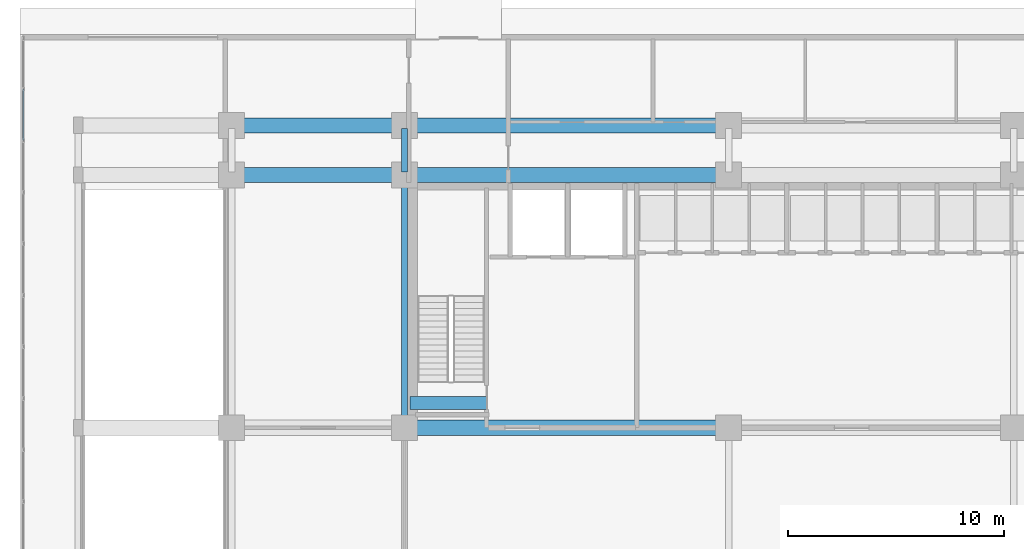
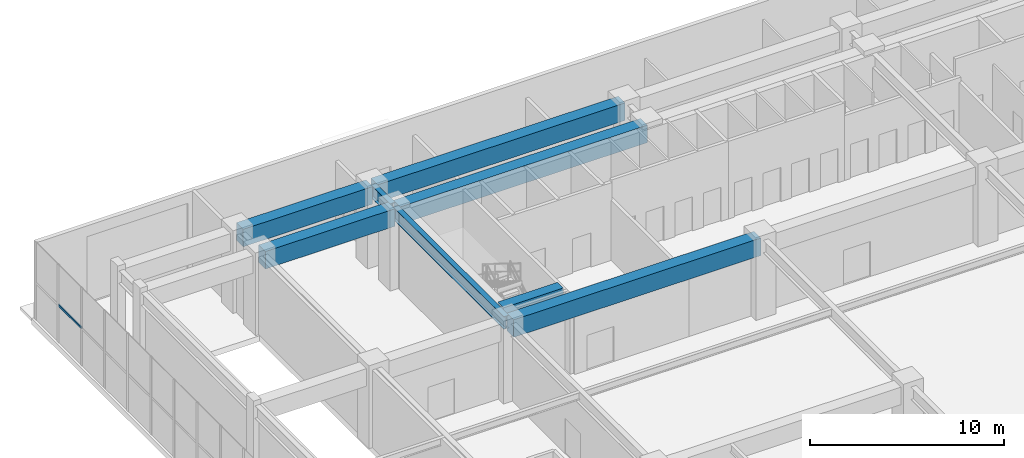
# One storey, part 17 of 40: 8 beams, 1 member, 1 element without a shape of its own.
"""IFC4 building model written with IfcOpenShell, lengths in metres."""

from ifc_helpers import new_model, si_unit, direction, frame, origin, origin_2d, place, context, subcontext, project, spatial, rectangle, hollow_rectangle, i_section, extrude, source, transform, mapped, material, material_profile, profile_set, type_object, element, aggregate, save


model = new_model("IFC4")

# Units and contexts
model_context = context("Model", 3, precision=1e-05, world=origin(), true_north=direction((0.0, 1.0)))
body_context = subcontext(model_context, "Body", "Model", "MODEL_VIEW")
ifc_project = project(units=[si_unit("LENGTHUNIT", "METRE"), si_unit("AREAUNIT", "SQUARE_METRE"), si_unit("VOLUMEUNIT", "CUBIC_METRE"), si_unit("PLANEANGLEUNIT", "RADIAN"), si_unit("MASSUNIT", "GRAM", prefix="KILO")], contexts=[model_context])

# Site, building, storey
site_placement = place(None, origin())
site = spatial("IfcSite", under=ifc_project, at=site_placement, CompositionType="ELEMENT")
building_placement = place(site_placement, origin())
building = spatial("IfcBuilding", under=site, at=building_placement, Name="Trelvane Seafront Commons", CompositionType="ELEMENT")
storey_placement = place(building_placement, origin())
storey = spatial("IfcBuildingStorey", under=building, at=storey_placement, Name="L00", CompositionType="ELEMENT", Elevation=0.0)

# Beams
ifc_material_1 = material(Name="Concrete C60/75", Category="concrete")
ifc_material_profile_1 = material_profile(ifc_material_1, rectangle(XDim=0.60009765625, YDim=0.89990234375, at=origin_2d()), Name="RC-600x900")
ifc_profile_set_1 = profile_set([ifc_material_profile_1], Name="Concrete C60/75")
beam_type_1 = type_object("IfcBeamType", Name="STR-LNT-RC600x900", PredefinedType="LINTEL", material=ifc_profile_set_1)
shared_shape_1 = source(origin(), body_context, "Body", "SweptSolid", [
    extrude(rectangle(XDim=0.60009765625, YDim=0.89990234375, at=origin_2d()), origin(), (0.0, 0.0, 1.0), 3.5498046875),
])
beam_1_placement = place(storey_placement, frame((15.85009765625, 34.550048828125, 4.429931640625), z_axis=(1.0, 0.0, 0.0), x_axis=(0.0, 1.0, 0.0)))
element("IfcBeam", 1, at=beam_1_placement, inside=storey, type_object=beam_type_1, Name="L00 Core Coupling Lintel Beam CB-71", PredefinedType="LINTEL", context=body_context, shape_type="MappedRepresentation", body=[
    mapped(shared_shape_1, transform((0.0, 0.0, 0.0), x_axis=(1.0, 0.0, 0.0), y_axis=(0.0, 1.0, 0.0), z_axis=(0.0, 0.0, 1.0), scale=1.0)),
])
ifc_material_2 = material(Name="Concrete C50/60", Category="concrete")
ifc_material_profile_2 = material_profile(ifc_material_2, rectangle(XDim=0.699951171875, YDim=1.10009765625, at=origin_2d()), Name="RC-700x1100")
ifc_profile_set_2 = profile_set([ifc_material_profile_2], Name="Concrete C50/60")
beam_type_2 = type_object("IfcBeamType", Name="STR-TBM-RC700x1100", PredefinedType="T_BEAM", material=ifc_profile_set_2)
shared_shape_2 = source(origin(), body_context, "Body", "SweptSolid", [
    extrude(rectangle(XDim=0.699951171875, YDim=1.10009765625, at=origin_2d()), origin(), (0.0, 0.0, 1.0), 7.699951171875),
])
for number, where, z_axis, x_axis, name in (
    (2, (7.75, 45.10009765625, 4.330078125), (1.0, 0.0, 0.0), (0.0, 1.0, 0.0), "L00 Primary Girder G-20"),
    (3, (7.75, 47.39990234375, 4.330078125), (1.0, 0.0, 0.0), (0.0, 1.0, 0.0), "L00 Primary Girder G-26"),
):
    element("IfcBeam", number, at=place(storey_placement, frame(where, z_axis=z_axis, x_axis=x_axis)), inside=storey, type_object=beam_type_2, Name=name, PredefinedType="T_BEAM", context=body_context, shape_type="MappedRepresentation", body=[
        mapped(shared_shape_2, transform((0.0, 0.0, 0.0), x_axis=(1.0, 0.0, 0.0), y_axis=(0.0, 1.0, 0.0), z_axis=(0.0, 0.0, 1.0), scale=1.0)),
    ])
shared_shape_3 = source(origin(), body_context, "Body", "SweptSolid", [
    extrude(rectangle(XDim=0.699951171875, YDim=1.10009765625, at=origin_2d()), origin(), (0.0, 0.0, 1.0), 14.699951171875),
])
for number, where, z_axis, x_axis, name in (
    (4, (15.75, 33.39990234375, 4.330078125), (1.0, 0.0, 0.0), (0.0, 1.0, 0.0), "L00 Primary Girder G-15"),
    (5, (15.75, 45.10009765625, 4.330078125), (1.0, 0.0, 0.0), (0.0, 1.0, 0.0), "L00 Primary Girder G-21"),
    (6, (15.75, 47.39990234375, 4.330078125), (1.0, 0.0, 0.0), (0.0, 1.0, 0.0), "L00 Primary Girder G-27"),
):
    element("IfcBeam", number, at=place(storey_placement, frame(where, z_axis=z_axis, x_axis=x_axis)), inside=storey, type_object=beam_type_2, Name=name, PredefinedType="T_BEAM", context=body_context, shape_type="MappedRepresentation", body=[
        mapped(shared_shape_3, transform((0.0, 0.0, 0.0), x_axis=(1.0, 0.0, 0.0), y_axis=(0.0, 1.0, 0.0), z_axis=(0.0, 0.0, 1.0), scale=1.0)),
    ])
ifc_material_3 = material(Name="Steel SM355 (S355)", Category="steel")
ifc_material_profile_3 = material_profile(ifc_material_3, i_section(OverallWidth=0.300048828125, OverallDepth=0.800048828125, WebThickness=0.013916015625, FlangeThickness=0.02587890625, at=origin_2d()), Name="H-800x300x14x26")
ifc_profile_set_3 = profile_set([ifc_material_profile_3], Name="Steel SM355 (S355)")
beam_type_3 = type_object("IfcBeamType", Name="STR-BM-H800", PredefinedType="BEAM", material=ifc_profile_set_3)
shared_shape_4 = source(origin(), body_context, "Body", "SweptSolid", [
    extrude(i_section(OverallWidth=0.300048828125, OverallDepth=0.800048828125, WebThickness=0.013916015625, FlangeThickness=0.02587890625, at=origin_2d()), origin(), (0.0, 0.0, 1.0), 11.39990234375),
])
beam_2_placement = place(storey_placement, frame((15.60009765625, 33.550048828125, 4.47998046875), z_axis=(0.0, 1.0, 0.0), x_axis=(-1.0, 0.0, 0.0)))
element("IfcBeam", 7, at=beam_2_placement, inside=storey, type_object=beam_type_3, Name="L00 Primary Girder G-41", PredefinedType="BEAM", context=body_context, shape_type="MappedRepresentation", body=[
    mapped(shared_shape_4, transform((0.0, 0.0, 0.0), x_axis=(1.0, 0.0, 0.0), y_axis=(0.0, 1.0, 0.0), z_axis=(0.0, 0.0, 1.0), scale=1.0)),
])
shared_shape_5 = source(origin(), body_context, "Body", "SweptSolid", [
    extrude(i_section(OverallWidth=0.300048828125, OverallDepth=0.800048828125, WebThickness=0.013916015625, FlangeThickness=0.02587890625, at=origin_2d()), origin(), (0.0, 0.0, 1.0), 2.0),
])
beam_3_placement = place(storey_placement, frame((15.60009765625, 45.25, 4.47998046875), z_axis=(0.0, 1.0, 0.0), x_axis=(-1.0, 0.0, 0.0)))
element("IfcBeam", 8, at=beam_3_placement, inside=storey, type_object=beam_type_3, Name="L00 Primary Girder G-42", PredefinedType="BEAM", context=body_context, shape_type="MappedRepresentation", body=[
    mapped(shared_shape_5, transform((0.0, 0.0, 0.0), x_axis=(1.0, 0.0, 0.0), y_axis=(0.0, 1.0, 0.0), z_axis=(0.0, 0.0, 1.0), scale=1.0)),
])

# Curtain wall, member
ifc_material_4 = material(Name="Anodised pale-silver aluminium", Category="aluminium")
curtain_wall_type = type_object("IfcCurtainWallType", Name="ARCH-CW4-SKYLOBBY", PredefinedType="NOTDEFINED", material=ifc_material_4)
curtain_wall_placement = place(storey_placement, origin())
curtain_wall = element("IfcCurtainWall", 9, at=curtain_wall_placement, inside=storey, type_object=curtain_wall_type, Name="CW-L00-0006", PredefinedType="NOTDEFINED")
ifc_material_profile_4 = material_profile(ifc_material_4, hollow_rectangle(XDim=0.074951171875, YDim=0.139892578125, WallThickness=0.00390625, at=origin_2d()), Name="TRAN-75x140x4")
ifc_profile_set_4 = profile_set([ifc_material_profile_4], Name="Anodised pale-silver aluminium")
member_type = type_object("IfcMemberType", Name="ARCH-CW-TRAN-140", PredefinedType="USERDEFINED", material=ifc_profile_set_4)
shared_shape_6 = source(origin(), body_context, "Body", "SweptSolid", [
    extrude(hollow_rectangle(XDim=0.074951171875, YDim=0.139892578125, WallThickness=0.00390625, at=origin_2d()), origin(), (0.0, 0.0, 1.0), 2.363037109375),
])
member_placement = place(storey_placement, frame((-2.050048828125, 46.7080078125, 2.342041015625), z_axis=(0.0, 1.0, 0.0), x_axis=(-1.0, 0.0, 0.0)))
member = element("IfcMember", 10, at=member_placement, type_object=member_type, Name="CW-L00-0006-T18", ObjectType="TRANSOM", PredefinedType="USERDEFINED", context=body_context, shape_type="MappedRepresentation", body=[
    mapped(shared_shape_6, transform((0.0, 0.0, 0.0), x_axis=(1.0, 0.0, 0.0), y_axis=(0.0, 1.0, 0.0), z_axis=(0.0, 0.0, 1.0), scale=1.0)),
])
aggregate(curtain_wall, [member])

save(model, "model.ifc")
